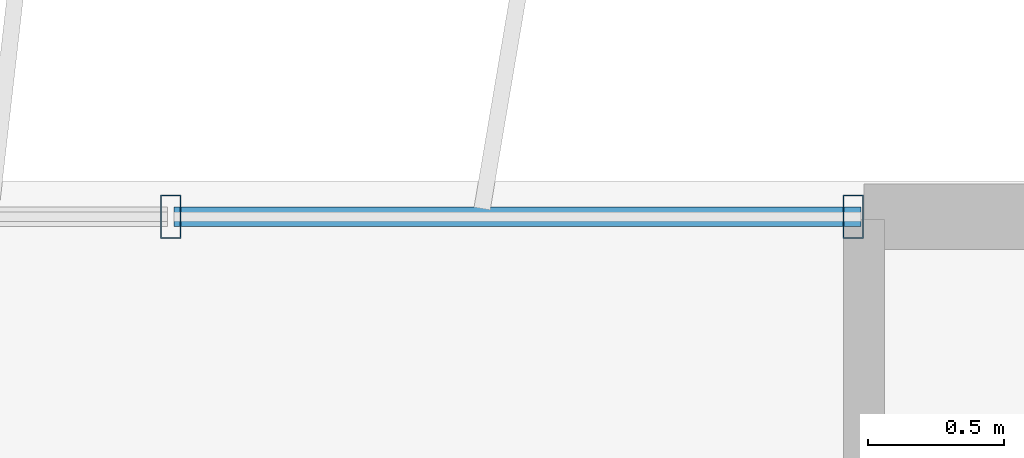
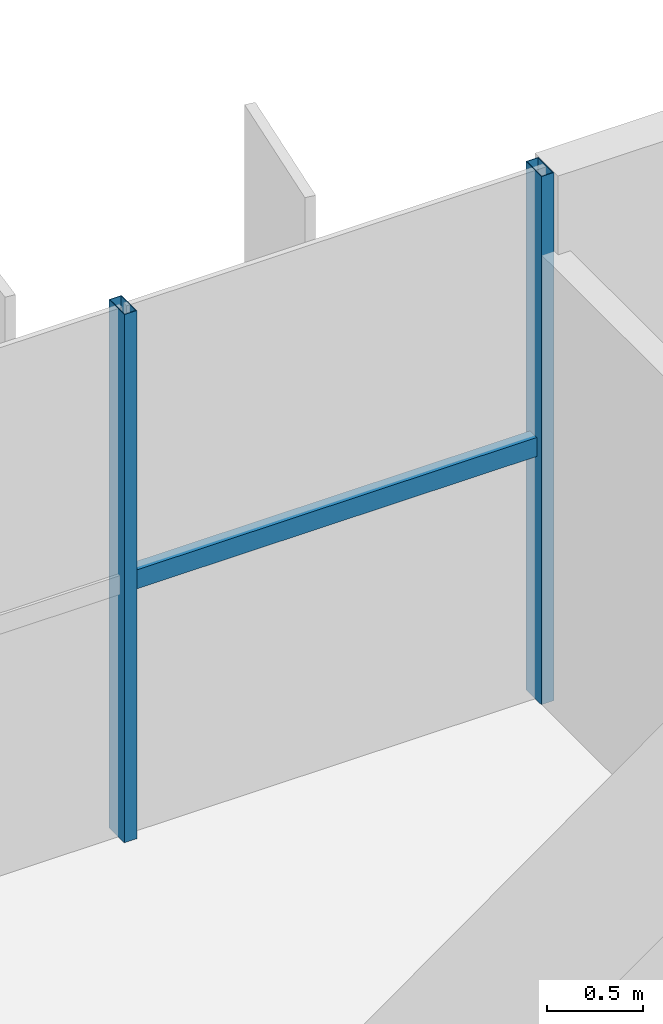
# One storey, part 12 of 20: 3 members, 1 element without a shape of its own.
"""IFC4 building model written with IfcOpenShell, lengths in metres."""

from ifc_helpers import new_model, si_unit, direction, frame, origin, origin_2d, place, context, subcontext, project, spatial, hollow_rectangle, extrude, source, transform, mapped, material, material_profile, profile_set, type_object, element, aggregate, save


model = new_model("IFC4")

# Units and contexts
model_context = context("Model", 3, precision=1e-05, world=origin(), true_north=direction((0.0, 1.0)))
body_context = subcontext(model_context, "Body", "Model", "MODEL_VIEW")
ifc_project = project(units=[si_unit("LENGTHUNIT", "METRE"), si_unit("AREAUNIT", "SQUARE_METRE"), si_unit("VOLUMEUNIT", "CUBIC_METRE"), si_unit("PLANEANGLEUNIT", "RADIAN"), si_unit("MASSUNIT", "GRAM", prefix="KILO")], contexts=[model_context])

# Site, building, storey
site_placement = place(None, origin())
site = spatial("IfcSite", under=ifc_project, at=site_placement, CompositionType="ELEMENT")
building_placement = place(site_placement, origin())
building = spatial("IfcBuilding", under=site, at=building_placement, Name="Trelvane Seafront Commons", CompositionType="ELEMENT")
storey_placement = place(building_placement, frame((0.0, 0.0, 142.89990234375)))
storey = spatial("IfcBuildingStorey", under=building, at=storey_placement, Name="L37", CompositionType="ELEMENT", Elevation=142.89990234375)

# Curtain wall, members
ifc_material = material(Name="Anodised pale-silver aluminium", Category="aluminium")
curtain_wall_type = type_object("IfcCurtainWallType", Name="ARCH-CW5-UPTOWER", PredefinedType="NOTDEFINED", material=ifc_material)
curtain_wall_placement = place(storey_placement, origin())
curtain_wall = element("IfcCurtainWall", 1, at=curtain_wall_placement, inside=storey, type_object=curtain_wall_type, Name="CW-L37-0064", PredefinedType="NOTDEFINED")
ifc_material_profile_1 = material_profile(ifc_material, hollow_rectangle(XDim=0.070068359375, YDim=0.1201171875, WallThickness=0.00390625, at=origin_2d()), Name="TRAN-70x120x4")
ifc_profile_set_1 = profile_set([ifc_material_profile_1], Name="Anodised pale-silver aluminium")
member_type_1 = type_object("IfcMemberType", Name="ARCH-CW-TRAN-120", PredefinedType="USERDEFINED", material=ifc_profile_set_1)
shared_shape_1 = source(origin(), body_context, "Body", "SweptSolid", [
    extrude(hollow_rectangle(XDim=0.070068359375, YDim=0.1201171875, WallThickness=0.00390625, at=origin_2d()), origin(), (0.0, 0.0, 1.0), 2.517333984375),
])
member_1_placement = place(storey_placement, frame((56.270751953125, 48.3701171875, 1.608154296875), z_axis=(1.0, 0.0, 0.0), x_axis=(0.0, 1.0, 0.0)))
member_1 = element("IfcMember", 2, at=member_1_placement, type_object=member_type_1, Name="CW-L37-0064-T16", ObjectType="TRANSOM", PredefinedType="USERDEFINED", context=body_context, shape_type="MappedRepresentation", body=[
    mapped(shared_shape_1, transform((0.0, 0.0, 0.0), x_axis=(1.0, 0.0, 0.0), y_axis=(0.0, 1.0, 0.0), z_axis=(0.0, 0.0, 1.0), scale=1.0)),
])
ifc_material_profile_2 = material_profile(ifc_material, hollow_rectangle(XDim=0.074951171875, YDim=0.159912109375, WallThickness=0.00390625, at=origin_2d()), Name="MULL-75x160x4")
ifc_profile_set_2 = profile_set([ifc_material_profile_2], Name="Anodised pale-silver aluminium")
member_type_2 = type_object("IfcMemberType", Name="ARCH-CW-MULL-160", PredefinedType="MULLION", material=ifc_profile_set_2)
shared_shape_2 = source(origin(), body_context, "Body", "SweptSolid", [
    extrude(hollow_rectangle(XDim=0.074951171875, YDim=0.159912109375, WallThickness=0.00390625, at=origin_2d()), origin(), (0.0, 0.0, 1.0), 3.35009765625),
])
member_2_placement = place(storey_placement, frame((56.2587890625, 48.3701171875, 0.0), z_axis=(0.0, 0.0, 1.0), x_axis=(1.0, 0.0, 0.0)))
member_2 = element("IfcMember", 3, at=member_2_placement, type_object=member_type_2, Name="CW-L37-0064-M16", PredefinedType="MULLION", context=body_context, shape_type="MappedRepresentation", body=[
    mapped(shared_shape_2, transform((0.0, 0.0, 0.0), x_axis=(1.0, 0.0, 0.0), y_axis=(0.0, 1.0, 0.0), z_axis=(0.0, 0.0, 1.0), scale=1.0)),
])
member_3_placement = place(storey_placement, frame((58.760009765625, 48.3701171875, 0.0), z_axis=(0.0, 0.0, 1.0), x_axis=(1.0, 0.0, 0.0)))
member_3 = element("IfcMember", 4, at=member_3_placement, type_object=member_type_2, Name="CW-L37-0064-M17", PredefinedType="MULLION", context=body_context, shape_type="MappedRepresentation", body=[
    mapped(shared_shape_2, transform((0.0, 0.0, 0.0), x_axis=(1.0, 0.0, 0.0), y_axis=(0.0, 1.0, 0.0), z_axis=(0.0, 0.0, 1.0), scale=1.0)),
])
aggregate(curtain_wall, [member_2, member_3, member_1])

save(model, "model.ifc")
